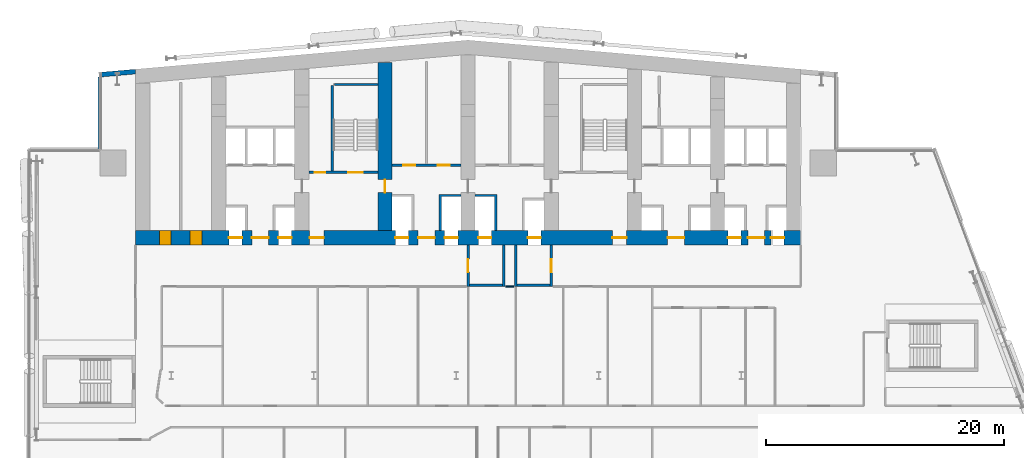
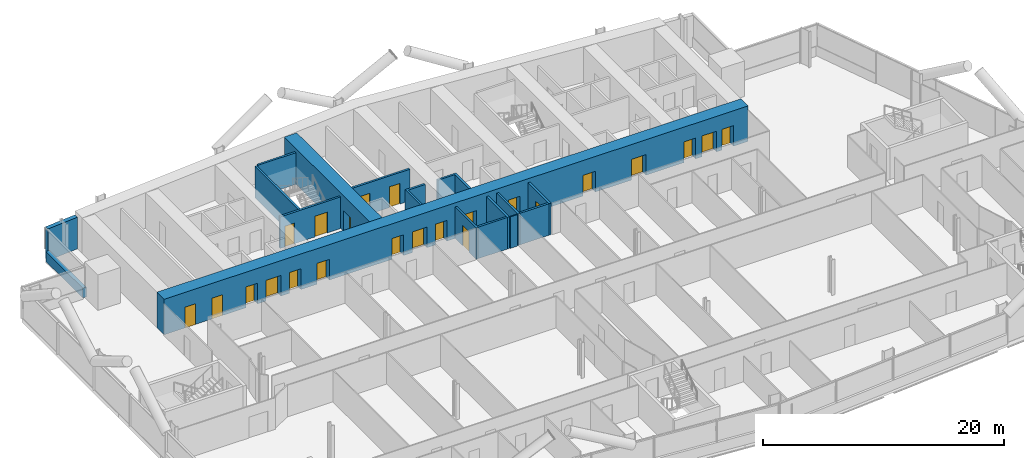
# One storey, part 17 of 28: 23 doors, 17 walls, 23 openings.
"""IFC4 building model written with IfcOpenShell, lengths in metres."""

import ifcopenshell
import ifcopenshell.guid

model = None  # the IFC model being written
_history = None  # IfcOwnerHistory: only IFC2X3 demands one
_inside = {}  # id of a spatial element -> (the spatial element, [elements in it])
_under = {}  # id of a project, library or spatial element -> (it, [spatial elements below it])
_declared = {}  # id of a project -> (the project, [libraries it declares])
_typed = {}  # id of a type object -> (the type object, [elements of that type])
_made_of = {}  # id of a material, layer set ... -> (it, [elements and type objects made of it])


def new_model(schema):
    """Start an empty IFC model of exactly this schema.

    Asked for "IFC4X3", IfcOpenShell would pick the latest addendum, in which some entities
    have other attributes; the version numbers below select the first issue.
    IFC2X3 requires an IfcOwnerHistory on every rooted entity: one is made here for all.
    """
    global model, _history
    if schema == "IFC4X3":
        model = ifcopenshell.file(schema_version=(4, 3, 0, 0))
    else:
        model = ifcopenshell.file(schema=schema)
    _inside.clear()
    _under.clear()
    _declared.clear()
    _typed.clear()
    _made_of.clear()
    _history = None
    if model.schema == "IFC2X3":
        org = make("IfcOrganization", Name="unknown")
        user = make(
            "IfcPersonAndOrganization",
            ThePerson=make("IfcPerson", FamilyName="unknown"),
            TheOrganization=org,
        )
        app = make(
            "IfcApplication",
            ApplicationDeveloper=org,
            Version="unknown",
            ApplicationFullName="unknown",
            ApplicationIdentifier="unknown",
        )
        _history = make(
            "IfcOwnerHistory",
            OwningUser=user,
            OwningApplication=app,
            ChangeAction="ADDED",
            CreationDate=0,
        )
    return model


def make(cls, **values):
    """One entity of the class cls with the attributes given. An attribute that is None is left unset."""
    return model.create_entity(
        cls, **{name: value for name, value in values.items() if value is not None}
    )


def rooted(cls, **values):
    """An entity with a GlobalId (a new one), such as an element, a storey or a relation."""
    return make(cls, GlobalId=ifcopenshell.guid.new(), OwnerHistory=_history, **values)


def si_unit(unit_type, name, prefix=None):
    """IfcSIUnit, for example si_unit("LENGTHUNIT", "METRE", prefix="MILLI")."""
    return make("IfcSIUnit", UnitType=unit_type, Prefix=prefix, Name=name)


def assignment(units):
    """IfcUnitAssignment: the units of a project."""
    return None if units is None else make("IfcUnitAssignment", Units=units)


def point(xyz):
    """IfcCartesianPoint."""
    return None if xyz is None else make("IfcCartesianPoint", Coordinates=xyz)


def direction(xyz):
    """IfcDirection."""
    return None if xyz is None else make("IfcDirection", DirectionRatios=xyz)


def frame(location, z_axis=None, x_axis=None):
    """IfcAxis2Placement3D, a coordinate frame: its origin and axes. An axis left out is left unset."""
    return make(
        "IfcAxis2Placement3D",
        Location=point(location),
        Axis=direction(z_axis),
        RefDirection=direction(x_axis),
    )


def frame_2d(location, x_axis=None):
    """IfcAxis2Placement2D, a coordinate frame in the plane: its origin and x axis."""
    return make(
        "IfcAxis2Placement2D", Location=point(location), RefDirection=direction(x_axis)
    )


def origin():
    """The frame at (0, 0, 0) with its axes left unset."""
    return frame((0.0, 0.0, 0.0))


def place(relative_to, where):
    """IfcLocalPlacement: puts the frame where relative to a parent placement (None: the world)."""
    return make(
        "IfcLocalPlacement", PlacementRelTo=relative_to, RelativePlacement=where
    )


def context(
    kind, dimensions, precision=None, world=None, true_north=None, identifier=None
):
    """IfcGeometricRepresentationContext, for example the 3D "Model" context."""
    return make(
        "IfcGeometricRepresentationContext",
        ContextIdentifier=identifier,
        ContextType=kind,
        CoordinateSpaceDimension=dimensions,
        Precision=precision,
        WorldCoordinateSystem=world,
        TrueNorth=true_north,
    )


def subcontext(parent, identifier, kind, view, scale=None):
    """IfcGeometricRepresentationSubContext, for example "Body" below "Model"."""
    return make(
        "IfcGeometricRepresentationSubContext",
        ContextIdentifier=identifier,
        ContextType=kind,
        ParentContext=parent,
        TargetScale=scale,
        TargetView=view,
    )


def project(units=None, contexts=None):
    """IfcProject with its units and contexts."""
    return rooted(
        "IfcProject",
        Name="project",
        RepresentationContexts=contexts,
        UnitsInContext=assignment(units),
    )


def spatial(cls, under=None, at=None, **own):
    """A site, building, storey or space (cls), placed at a placement, below another one or the project."""
    s = rooted(cls, ObjectPlacement=at, **own)
    if under is not None:
        _under.setdefault(under.id(), (under, []))[1].append(s)
    return s


def polyline(points):
    """IfcPolyline through the points."""
    return make("IfcPolyline", Points=[point(p) for p in points])


def profile(cls, at=None, kind="AREA", **sizes):
    """A parametric profile (cls). Its sizes go by their IFC names, for example OverallWidth=200.0."""
    return make(cls, ProfileType=kind, Position=at, **sizes)


def rectangle(**sizes):
    """IfcRectangleProfileDef."""
    return profile("IfcRectangleProfileDef", **sizes)


def outline(outer, holes=None, kind="AREA"):
    """IfcArbitraryClosedProfileDef: a profile drawn as a closed curve; with holes, ...WithVoids."""
    if holes is None:
        return make("IfcArbitraryClosedProfileDef", ProfileType=kind, OuterCurve=outer)
    return make(
        "IfcArbitraryProfileDefWithVoids",
        ProfileType=kind,
        OuterCurve=outer,
        InnerCurves=holes,
    )


def extrude(swept, where, along, depth):
    """IfcExtrudedAreaSolid: the profile swept, set in the frame where, extruded along a direction by depth."""
    return make(
        "IfcExtrudedAreaSolid",
        SweptArea=swept,
        Position=where,
        ExtrudedDirection=direction(along),
        Depth=depth,
    )


def shape(context_of_items, identifier, shape_type, items):
    """IfcShapeRepresentation: the items that make up one representation, for example the "Body"."""
    return make(
        "IfcShapeRepresentation",
        ContextOfItems=context_of_items,
        RepresentationIdentifier=identifier,
        RepresentationType=shape_type,
        Items=items,
    )


def material(Name=None, Category=None):
    """IfcMaterial."""
    return make("IfcMaterial", Name=Name, Category=Category)


def layer(
    of_material, thickness, ventilated=None, Name=None, Category=None, Priority=None
):
    """IfcMaterialLayer: one layer of a wall or slab, of a material (None: an air gap)."""
    return make(
        "IfcMaterialLayer",
        Material=of_material,
        LayerThickness=thickness,
        IsVentilated=ventilated,
        Name=Name,
        Category=Category,
        Priority=Priority,
    )


def layer_set(layers, Name=None):
    """IfcMaterialLayerSet."""
    return make("IfcMaterialLayerSet", MaterialLayers=layers, LayerSetName=Name)


def made_of(thing, what):
    """Note that an element or type object is made of a material, layer set ...; save() writes the relation."""
    if what is not None:
        _made_of.setdefault(what.id(), (what, []))[1].append(thing)
    return thing


def type_object(cls, material=None, **own):
    """A type object (cls), such as IfcWallType, which elements share."""
    return made_of(rooted(cls, **own), material)


def element(
    cls,
    number,
    at=None,
    inside=None,
    cuts=None,
    type_object=None,
    material=None,
    context=None,
    identifier="Body",
    shape_type=None,
    held_by="IfcProductDefinitionShape",
    body=None,
    shapes=None,
    **own,
):
    """One element of the class cls, such as IfcWall. Its Tag is "e" and its number.

    at: its placement. inside: the storey or other place that contains it. cuts: it is an
    opening in that element (IfcRelVoidsElement). A single representation is given by context,
    identifier, shape_type and body (its items); several are given by shapes. held_by: the class
    of the entity that holds the representations. save() writes the other relations.
    """
    e = rooted(cls, Tag="e%d" % number, ObjectPlacement=at, **own)
    if body is not None:
        shapes = [shape(context, identifier, shape_type, body)]
    if shapes is not None:
        e.Representation = make(held_by, Representations=shapes)
    if inside is not None:
        _inside.setdefault(inside.id(), (inside, []))[1].append(e)
    if cuts is not None:
        rooted(
            "IfcRelVoidsElement", RelatingBuildingElement=cuts, RelatedOpeningElement=e
        )
    if type_object is not None:
        _typed.setdefault(type_object.id(), (type_object, []))[1].append(e)
    return made_of(e, material)


def fill(opening, filler):
    """IfcRelFillsElement: the door or window that sits in an opening."""
    return rooted(
        "IfcRelFillsElement",
        RelatingOpeningElement=opening,
        RelatedBuildingElement=filler,
    )


def aggregate(whole, parts):
    """IfcRelAggregates: a whole, such as a stair, and the parts it consists of."""
    return rooted("IfcRelAggregates", RelatingObject=whole, RelatedObjects=parts)


def save(model, path):
    """Write the relations noted so far, then the file.

    IfcRelAggregates (storeys below a building ...), IfcRelContainedInSpatialStructure (elements
    in a storey), IfcRelDefinesByType, IfcRelAssociatesMaterial and IfcRelDeclares: one each for
    every whole, place, type object, material and project.
    """
    for whole, parts in _under.values():
        aggregate(whole, parts)
    for where, things in _inside.values():
        rooted(
            "IfcRelContainedInSpatialStructure",
            RelatedElements=things,
            RelatingStructure=where,
        )
    for kind, things in _typed.values():
        rooted("IfcRelDefinesByType", RelatedObjects=things, RelatingType=kind)
    for what, things in _made_of.values():
        rooted("IfcRelAssociatesMaterial", RelatedObjects=things, RelatingMaterial=what)
    for by, libraries in _declared.values():
        rooted("IfcRelDeclares", RelatingContext=by, RelatedDefinitions=libraries)
    model.write(path)


model = new_model("IFC4")

# Units and contexts
model_context = context("Model", 3, precision=1e-05, world=origin(), true_north=direction((0.0, 1.0)))
body_context = subcontext(model_context, "Body", "Model", "MODEL_VIEW")
ifc_project = project(units=[si_unit("LENGTHUNIT", "METRE"), si_unit("AREAUNIT", "SQUARE_METRE"), si_unit("VOLUMEUNIT", "CUBIC_METRE"), si_unit("PLANEANGLEUNIT", "RADIAN"), si_unit("MASSUNIT", "GRAM", prefix="KILO")], contexts=[model_context])

# Site, building, storey
site_placement = place(None, origin())
site = spatial("IfcSite", under=ifc_project, at=site_placement, CompositionType="ELEMENT")
building_placement = place(site_placement, origin())
building = spatial("IfcBuilding", under=site, at=building_placement, Name="Wharfspan Tower", CompositionType="ELEMENT")
storey_placement = place(building_placement, frame((0.0, 0.0, 59.5)))
storey = spatial("IfcBuildingStorey", under=building, at=storey_placement, Name="L11", CompositionType="ELEMENT", Elevation=59.5)

# Wall
ifc_material_1 = material(Name="Gypsum board on steel studs", Category="steel")
ifc_layer_1 = layer(ifc_material_1, 0.100098)
ifc_layer_set_1 = layer_set([ifc_layer_1], Name="Gypsum board on steel studs")
wall_type_1 = type_object("IfcWallType", Name="Compartment wall 100 EI 60", PredefinedType="PARTITIONING", material=ifc_layer_set_1)
wall_1_placement = place(storey_placement, frame((40.149902, 30.5, 0.0), z_axis=(0.0, 0.0, 1.0), x_axis=(1.0, 0.0, 0.0)))
element("IfcWall", 1, at=wall_1_placement, inside=storey, type_object=wall_type_1, Name="Partition L11.w015 (2)", PredefinedType="PARTITIONING", context=body_context, shape_type="SweptSolid", body=[
    extrude(rectangle(XDim=0.700195, YDim=0.100098, at=frame_2d((0.350098, 0.0))), origin(), (0.0, 0.0, 1.0), 3.199951),
])

# Wall, openings, doors
ifc_material_2 = material(Name="Concrete C70/85", Category="concrete")
ifc_layer_2 = layer(ifc_material_2, 1.199951)
ifc_layer_set_2 = layer_set([ifc_layer_2], Name="Concrete C70/85")
wall_type_2 = type_object("IfcWallType", Name="Core wall 1200 C70/85", PredefinedType="SHEAR", material=ifc_layer_set_2)
wall_2_placement = place(storey_placement, frame((9.0, 34.600098, 0.0), z_axis=(0.0, 0.0, 1.0), x_axis=(1.0, 0.0, 0.0)))
wall_2 = element("IfcWall", 2, at=wall_2_placement, inside=storey, type_object=wall_type_2, Name="Core front wall L11", PredefinedType="SHEAR", context=body_context, shape_type="SweptSolid", body=[
    extrude(rectangle(XDim=56.0, YDim=1.199951, at=frame_2d((28.0, 0.0))), origin(), (0.0, 0.0, 1.0), 3.600098),
])
opening_1_placement = place(wall_2_placement, frame((2.0, 0.0, 0.0)))
opening_1 = element("IfcOpeningElement", 3, at=opening_1_placement, cuts=wall_2, Name="Opening CD11.01", PredefinedType="OPENING", context=body_context, shape_type="SweptSolid", body=[
    extrude(rectangle(XDim=1.0, YDim=2.100098, at=frame_2d((0.5, 1.050049))), frame((0.0, 0.609863, 0.0), z_axis=(0.0, -1.0, 0.0), x_axis=(1.0, 0.0, 0.0)), (0.0, 0.0, 1.0), 1.219971),
])
opening_2_placement = place(wall_2_placement, frame((4.600098, 0.0, 0.0)))
opening_2 = element("IfcOpeningElement", 4, at=opening_2_placement, cuts=wall_2, Name="Opening CD11.02", PredefinedType="OPENING", context=body_context, shape_type="SweptSolid", body=[
    extrude(rectangle(XDim=1.0, YDim=2.100098, at=frame_2d((0.5, 1.050049))), frame((0.0, 0.609863, 0.0), z_axis=(0.0, -1.0, 0.0), x_axis=(1.0, 0.0, 0.0)), (0.0, 0.0, 1.0), 1.219971),
])
opening_3_placement = place(wall_2_placement, frame((7.866699, 0.0, 0.0)))
opening_3 = element("IfcOpeningElement", 5, at=opening_3_placement, cuts=wall_2, Name="Opening LD.LA1.L11", PredefinedType="OPENING", context=body_context, shape_type="SweptSolid", body=[
    extrude(rectangle(XDim=1.100098, YDim=2.100098, at=frame_2d((0.550049, 1.050049))), frame((0.0, 0.609863, 0.0), z_axis=(0.0, -1.0, 0.0), x_axis=(1.0, 0.0, 0.0)), (0.0, 0.0, 1.0), 1.219971),
])
opening_4_placement = place(wall_2_placement, frame((12.033203, 0.0, 0.0)))
opening_4 = element("IfcOpeningElement", 6, at=opening_4_placement, cuts=wall_2, Name="Opening LD.LA2.L11", PredefinedType="OPENING", context=body_context, shape_type="SweptSolid", body=[
    extrude(rectangle(XDim=1.100098, YDim=2.100098, at=frame_2d((0.550049, 1.050049))), frame((0.0, 0.609863, 0.0), z_axis=(0.0, -1.0, 0.0), x_axis=(1.0, 0.0, 0.0)), (0.0, 0.0, 1.0), 1.219971),
])
opening_5_placement = place(wall_2_placement, frame((9.800049, 0.0, 0.0)))
opening_5 = element("IfcOpeningElement", 7, at=opening_5_placement, cuts=wall_2, Name="Opening HD11.1", PredefinedType="OPENING", context=body_context, shape_type="SweptSolid", body=[
    extrude(rectangle(XDim=1.399902, YDim=2.100098, at=frame_2d((0.699951, 1.050049))), frame((0.0, 0.609863, 0.0), z_axis=(0.0, -1.0, 0.0), x_axis=(1.0, 0.0, 0.0)), (0.0, 0.0, 1.0), 1.219971),
])
opening_6_placement = place(wall_2_placement, frame((14.649902, 0.0, 0.0)))
opening_6 = element("IfcOpeningElement", 8, at=opening_6_placement, cuts=wall_2, Name="Opening SV2.L11", PredefinedType="OPENING", context=body_context, shape_type="SweptSolid", body=[
    extrude(rectangle(XDim=1.199951, YDim=2.100098, at=frame_2d((0.600098, 1.050049))), frame((0.0, 0.609863, 0.0), z_axis=(0.0, -1.0, 0.0), x_axis=(1.0, 0.0, 0.0)), (0.0, 0.0, 1.0), 1.219971),
])
opening_7_placement = place(wall_2_placement, frame((21.866699, 0.0, 0.0)))
opening_7 = element("IfcOpeningElement", 9, at=opening_7_placement, cuts=wall_2, Name="Opening LD.SL1.L11", PredefinedType="OPENING", context=body_context, shape_type="SweptSolid", body=[
    extrude(rectangle(XDim=1.100098, YDim=2.100098, at=frame_2d((0.550049, 1.050049))), frame((0.0, 0.609863, 0.0), z_axis=(0.0, -1.0, 0.0), x_axis=(1.0, 0.0, 0.0)), (0.0, 0.0, 1.0), 1.219971),
])
opening_8_placement = place(wall_2_placement, frame((26.033203, 0.0, 0.0)))
opening_8 = element("IfcOpeningElement", 10, at=opening_8_placement, cuts=wall_2, Name="Opening LD.SL2.L11", PredefinedType="OPENING", context=body_context, shape_type="SweptSolid", body=[
    extrude(rectangle(XDim=1.100098, YDim=2.100098, at=frame_2d((0.550049, 1.050049))), frame((0.0, 0.609863, 0.0), z_axis=(0.0, -1.0, 0.0), x_axis=(1.0, 0.0, 0.0)), (0.0, 0.0, 1.0), 1.219971),
])
opening_9_placement = place(wall_2_placement, frame((23.800049, 0.0, 0.0)))
opening_9 = element("IfcOpeningElement", 11, at=opening_9_placement, cuts=wall_2, Name="Opening HD11.3", PredefinedType="OPENING", context=body_context, shape_type="SweptSolid", body=[
    extrude(rectangle(XDim=1.399902, YDim=2.100098, at=frame_2d((0.699951, 1.050049))), frame((0.0, 0.609863, 0.0), z_axis=(0.0, -1.0, 0.0), x_axis=(1.0, 0.0, 0.0)), (0.0, 0.0, 1.0), 1.219971),
])
opening_10_placement = place(wall_2_placement, frame((28.866699, 0.0, 0.0)))
opening_10 = element("IfcOpeningElement", 12, at=opening_10_placement, cuts=wall_2, Name="Opening LD.FF1.L11", PredefinedType="OPENING", context=body_context, shape_type="SweptSolid", body=[
    extrude(rectangle(XDim=1.100098, YDim=2.100098, at=frame_2d((0.550049, 1.050049))), frame((0.0, 0.609863, 0.0), z_axis=(0.0, -1.0, 0.0), x_axis=(1.0, 0.0, 0.0)), (0.0, 0.0, 1.0), 1.219971),
])
opening_11_placement = place(wall_2_placement, frame((33.033203, 0.0, 0.0)))
opening_11 = element("IfcOpeningElement", 13, at=opening_11_placement, cuts=wall_2, Name="Opening LD.FF2.L11", PredefinedType="OPENING", context=body_context, shape_type="SweptSolid", body=[
    extrude(rectangle(XDim=1.100098, YDim=2.100098, at=frame_2d((0.550049, 1.050049))), frame((0.0, 0.609863, 0.0), z_axis=(0.0, -1.0, 0.0), x_axis=(1.0, 0.0, 0.0)), (0.0, 0.0, 1.0), 1.219971),
])
opening_12_placement = place(wall_2_placement, frame((40.149902, 0.0, 0.0)))
opening_12 = element("IfcOpeningElement", 14, at=opening_12_placement, cuts=wall_2, Name="Opening SV5.L11", PredefinedType="OPENING", context=body_context, shape_type="SweptSolid", body=[
    extrude(rectangle(XDim=1.199951, YDim=2.100098, at=frame_2d((0.600098, 1.050049))), frame((0.0, 0.609863, 0.0), z_axis=(0.0, -1.0, 0.0), x_axis=(1.0, 0.0, 0.0)), (0.0, 0.0, 1.0), 1.219971),
])
opening_13_placement = place(wall_2_placement, frame((44.800049, 0.0, 0.0)))
opening_13 = element("IfcOpeningElement", 15, at=opening_13_placement, cuts=wall_2, Name="Opening HD11.6", PredefinedType="OPENING", context=body_context, shape_type="SweptSolid", body=[
    extrude(rectangle(XDim=1.399902, YDim=2.100098, at=frame_2d((0.699951, 1.050049))), frame((0.0, 0.609863, 0.0), z_axis=(0.0, -1.0, 0.0), x_axis=(1.0, 0.0, 0.0)), (0.0, 0.0, 1.0), 1.219971),
])
opening_14_placement = place(wall_2_placement, frame((49.866699, 0.0, 0.0)))
opening_14 = element("IfcOpeningElement", 16, at=opening_14_placement, cuts=wall_2, Name="Opening LD.LA6.L11", PredefinedType="OPENING", context=body_context, shape_type="SweptSolid", body=[
    extrude(rectangle(XDim=1.100098, YDim=2.100098, at=frame_2d((0.550049, 1.050049))), frame((0.0, 0.609863, 0.0), z_axis=(0.0, -1.0, 0.0), x_axis=(1.0, 0.0, 0.0)), (0.0, 0.0, 1.0), 1.219971),
])
opening_15_placement = place(wall_2_placement, frame((53.5, 0.0, 0.0)))
opening_15 = element("IfcOpeningElement", 17, at=opening_15_placement, cuts=wall_2, Name="Opening LD.LA7.L11", PredefinedType="OPENING", context=body_context, shape_type="SweptSolid", body=[
    extrude(rectangle(XDim=1.100098, YDim=2.100098, at=frame_2d((0.550049, 1.050049))), frame((0.0, 0.609863, 0.0), z_axis=(0.0, -1.0, 0.0), x_axis=(1.0, 0.0, 0.0)), (0.0, 0.0, 1.0), 1.219971),
])
opening_16_placement = place(wall_2_placement, frame((51.56665, 0.0, 0.0)))
opening_16 = element("IfcOpeningElement", 18, at=opening_16_placement, cuts=wall_2, Name="Opening HD11.7", PredefinedType="OPENING", context=body_context, shape_type="SweptSolid", body=[
    extrude(rectangle(XDim=1.399902, YDim=2.100098, at=frame_2d((0.699951, 1.050049))), frame((0.0, 0.609863, 0.0), z_axis=(0.0, -1.0, 0.0), x_axis=(1.0, 0.0, 0.0)), (0.0, 0.0, 1.0), 1.219971),
])
ifc_material_3 = material(Name="Steel door leaf", Category="steel")
door_type_1 = type_object("IfcDoorType", Name="Core room door 1000x2100", OperationType="SINGLE_SWING_LEFT", PredefinedType="DOOR", material=ifc_material_3)
door_1_placement = place(opening_1_placement, origin())
door_1 = element("IfcDoor", 19, at=door_1_placement, inside=storey, type_object=door_type_1, Name="d:L11:0:rf", OperationType="SINGLE_SWING_LEFT", OverallHeight=2.100098, OverallWidth=1.0, PredefinedType="DOOR", context=body_context, shape_type="SweptSolid", body=[
    extrude(rectangle(XDim=1.0, YDim=2.100098, at=frame_2d((0.5, 1.050049))), frame((0.0, 0.599609, 0.0), z_axis=(0.0, -1.0, 0.0), x_axis=(1.0, 0.0, 0.0)), (0.0, 0.0, 1.0), 1.199463),
])
fill(opening_1, door_1)
door_2_placement = place(opening_2_placement, origin())
door_2 = element("IfcDoor", 20, at=door_2_placement, inside=storey, type_object=door_type_1, Name="d:L11:0:rr", OperationType="SINGLE_SWING_RIGHT", OverallHeight=2.100098, OverallWidth=1.0, PredefinedType="DOOR", context=body_context, shape_type="SweptSolid", body=[
    extrude(rectangle(XDim=1.0, YDim=2.100098, at=frame_2d((0.5, 1.050049))), frame((0.0, 0.599609, 0.0), z_axis=(0.0, -1.0, 0.0), x_axis=(1.0, 0.0, 0.0)), (0.0, 0.0, 1.0), 1.199463),
])
fill(opening_2, door_2)
door_type_2 = type_object("IfcDoorType", Name="Hall entry door 1400x2100", OperationType="DOUBLE_DOOR_SINGLE_SWING", PredefinedType="DOOR", material=ifc_material_3)
door_3_placement = place(opening_5_placement, origin())
door_3 = element("IfcDoor", 21, at=door_3_placement, inside=storey, type_object=door_type_2, Name="d:L11:1:hd1", OperationType="DOUBLE_DOOR_SINGLE_SWING", OverallHeight=2.100098, OverallWidth=1.399902, PredefinedType="DOOR", context=body_context, shape_type="SweptSolid", body=[
    extrude(rectangle(XDim=1.399902, YDim=2.100098, at=frame_2d((0.699951, 1.050049))), frame((0.0, 0.024902, 0.0), z_axis=(0.0, -1.0, 0.0), x_axis=(1.0, 0.0, 0.0)), (0.0, 0.0, 1.0), 0.050049),
])
fill(opening_5, door_3)
door_4_placement = place(opening_9_placement, origin())
door_4 = element("IfcDoor", 22, at=door_4_placement, inside=storey, type_object=door_type_2, Name="d:L11:3:hd3", OperationType="DOUBLE_DOOR_SINGLE_SWING", OverallHeight=2.100098, OverallWidth=1.399902, PredefinedType="DOOR", context=body_context, shape_type="SweptSolid", body=[
    extrude(rectangle(XDim=1.399902, YDim=2.100098, at=frame_2d((0.699951, 1.050049))), frame((0.0, 0.024902, 0.0), z_axis=(0.0, -1.0, 0.0), x_axis=(1.0, 0.0, 0.0)), (0.0, 0.0, 1.0), 0.050049),
])
fill(opening_9, door_4)
door_5_placement = place(opening_13_placement, origin())
door_5 = element("IfcDoor", 23, at=door_5_placement, inside=storey, type_object=door_type_2, Name="d:L11:6:hd6", OperationType="DOUBLE_DOOR_SINGLE_SWING", OverallHeight=2.100098, OverallWidth=1.399902, PredefinedType="DOOR", context=body_context, shape_type="SweptSolid", body=[
    extrude(rectangle(XDim=1.399902, YDim=2.100098, at=frame_2d((0.699951, 1.050049))), frame((0.0, 0.024902, 0.0), z_axis=(0.0, -1.0, 0.0), x_axis=(1.0, 0.0, 0.0)), (0.0, 0.0, 1.0), 0.050049),
])
fill(opening_13, door_5)
door_6_placement = place(opening_16_placement, origin())
door_6 = element("IfcDoor", 24, at=door_6_placement, inside=storey, type_object=door_type_2, Name="d:L11:7:hd7", OperationType="DOUBLE_DOOR_SINGLE_SWING", OverallHeight=2.100098, OverallWidth=1.399902, PredefinedType="DOOR", context=body_context, shape_type="SweptSolid", body=[
    extrude(rectangle(XDim=1.399902, YDim=2.100098, at=frame_2d((0.699951, 1.050049))), frame((0.0, 0.024902, 0.0), z_axis=(0.0, -1.0, 0.0), x_axis=(1.0, 0.0, 0.0)), (0.0, 0.0, 1.0), 0.050049),
])
fill(opening_16, door_6)
ifc_material_4 = material(Name="Stainless steel", Category="steel")
door_type_3 = type_object("IfcDoorType", Name="Lift landing door 1100x2100", OperationType="DOUBLE_DOOR_SLIDING", PredefinedType="DOOR", material=ifc_material_4)
door_7_placement = place(opening_3_placement, origin())
door_7 = element("IfcDoor", 25, at=door_7_placement, inside=storey, type_object=door_type_3, Name="Landing door LA1 L11", OperationType="DOUBLE_DOOR_SLIDING", OverallHeight=2.100098, OverallWidth=1.100098, PredefinedType="DOOR", context=body_context, shape_type="SweptSolid", body=[
    extrude(rectangle(XDim=1.100098, YDim=2.100098, at=frame_2d((0.550049, 1.050049))), frame((0.0, 0.024902, 0.0), z_axis=(0.0, -1.0, 0.0), x_axis=(1.0, 0.0, 0.0)), (0.0, 0.0, 1.0), 0.050049),
])
fill(opening_3, door_7)
door_8_placement = place(opening_4_placement, origin())
door_8 = element("IfcDoor", 26, at=door_8_placement, inside=storey, type_object=door_type_3, Name="Landing door LA2 L11", OperationType="DOUBLE_DOOR_SLIDING", OverallHeight=2.100098, OverallWidth=1.100098, PredefinedType="DOOR", context=body_context, shape_type="SweptSolid", body=[
    extrude(rectangle(XDim=1.100098, YDim=2.100098, at=frame_2d((0.550049, 1.050049))), frame((0.0, 0.024902, 0.0), z_axis=(0.0, -1.0, 0.0), x_axis=(1.0, 0.0, 0.0)), (0.0, 0.0, 1.0), 0.050049),
])
fill(opening_4, door_8)
door_9_placement = place(opening_7_placement, origin())
door_9 = element("IfcDoor", 27, at=door_9_placement, inside=storey, type_object=door_type_3, Name="Landing door SL1 L11", OperationType="DOUBLE_DOOR_SLIDING", OverallHeight=2.100098, OverallWidth=1.100098, PredefinedType="DOOR", context=body_context, shape_type="SweptSolid", body=[
    extrude(rectangle(XDim=1.100098, YDim=2.100098, at=frame_2d((0.550049, 1.050049))), frame((0.0, 0.024902, 0.0), z_axis=(0.0, -1.0, 0.0), x_axis=(1.0, 0.0, 0.0)), (0.0, 0.0, 1.0), 0.050049),
])
fill(opening_7, door_9)
door_10_placement = place(opening_8_placement, origin())
door_10 = element("IfcDoor", 28, at=door_10_placement, inside=storey, type_object=door_type_3, Name="Landing door SL2 L11", OperationType="DOUBLE_DOOR_SLIDING", OverallHeight=2.100098, OverallWidth=1.100098, PredefinedType="DOOR", context=body_context, shape_type="SweptSolid", body=[
    extrude(rectangle(XDim=1.100098, YDim=2.100098, at=frame_2d((0.550049, 1.050049))), frame((0.0, 0.024902, 0.0), z_axis=(0.0, -1.0, 0.0), x_axis=(1.0, 0.0, 0.0)), (0.0, 0.0, 1.0), 0.050049),
])
fill(opening_8, door_10)
door_11_placement = place(opening_10_placement, origin())
door_11 = element("IfcDoor", 29, at=door_11_placement, inside=storey, type_object=door_type_3, Name="Landing door FF1 L11", OperationType="DOUBLE_DOOR_SLIDING", OverallHeight=2.100098, OverallWidth=1.100098, PredefinedType="DOOR", context=body_context, shape_type="SweptSolid", body=[
    extrude(rectangle(XDim=1.100098, YDim=2.100098, at=frame_2d((0.550049, 1.050049))), frame((0.0, 0.024902, 0.0), z_axis=(0.0, -1.0, 0.0), x_axis=(1.0, 0.0, 0.0)), (0.0, 0.0, 1.0), 0.050049),
])
fill(opening_10, door_11)
door_12_placement = place(opening_11_placement, origin())
door_12 = element("IfcDoor", 30, at=door_12_placement, inside=storey, type_object=door_type_3, Name="Landing door FF2 L11", OperationType="DOUBLE_DOOR_SLIDING", OverallHeight=2.100098, OverallWidth=1.100098, PredefinedType="DOOR", context=body_context, shape_type="SweptSolid", body=[
    extrude(rectangle(XDim=1.100098, YDim=2.100098, at=frame_2d((0.550049, 1.050049))), frame((0.0, 0.024902, 0.0), z_axis=(0.0, -1.0, 0.0), x_axis=(1.0, 0.0, 0.0)), (0.0, 0.0, 1.0), 0.050049),
])
fill(opening_11, door_12)
door_13_placement = place(opening_14_placement, origin())
door_13 = element("IfcDoor", 31, at=door_13_placement, inside=storey, type_object=door_type_3, Name="Landing door LA6 L11", OperationType="DOUBLE_DOOR_SLIDING", OverallHeight=2.100098, OverallWidth=1.100098, PredefinedType="DOOR", context=body_context, shape_type="SweptSolid", body=[
    extrude(rectangle(XDim=1.100098, YDim=2.100098, at=frame_2d((0.550049, 1.050049))), frame((0.0, 0.024902, 0.0), z_axis=(0.0, -1.0, 0.0), x_axis=(1.0, 0.0, 0.0)), (0.0, 0.0, 1.0), 0.050049),
])
fill(opening_14, door_13)
door_14_placement = place(opening_15_placement, origin())
door_14 = element("IfcDoor", 32, at=door_14_placement, inside=storey, type_object=door_type_3, Name="Landing door LA7 L11", OperationType="DOUBLE_DOOR_SLIDING", OverallHeight=2.100098, OverallWidth=1.100098, PredefinedType="DOOR", context=body_context, shape_type="SweptSolid", body=[
    extrude(rectangle(XDim=1.100098, YDim=2.100098, at=frame_2d((0.550049, 1.050049))), frame((0.0, 0.024902, 0.0), z_axis=(0.0, -1.0, 0.0), x_axis=(1.0, 0.0, 0.0)), (0.0, 0.0, 1.0), 0.050049),
])
fill(opening_15, door_14)
door_type_4 = type_object("IfcDoorType", Name="Stair door 1200x2100", OperationType="SINGLE_SWING_LEFT", PredefinedType="DOOR", material=ifc_material_3)
door_15_placement = place(opening_6_placement, origin())
door_15 = element("IfcDoor", 33, at=door_15_placement, inside=storey, type_object=door_type_4, Name="vd:L11:2", OperationType="SINGLE_SWING_LEFT", OverallHeight=2.100098, OverallWidth=1.199951, PredefinedType="DOOR", context=body_context, shape_type="SweptSolid", body=[
    extrude(rectangle(XDim=1.199951, YDim=2.100098, at=frame_2d((0.600098, 1.050049))), frame((0.0, 0.024902, 0.0), z_axis=(0.0, -1.0, 0.0), x_axis=(1.0, 0.0, 0.0)), (0.0, 0.0, 1.0), 0.050049),
])
fill(opening_6, door_15)
door_16_placement = place(opening_12_placement, origin())
door_16 = element("IfcDoor", 34, at=door_16_placement, inside=storey, type_object=door_type_4, Name="vd:L11:5", OperationType="SINGLE_SWING_LEFT", OverallHeight=2.100098, OverallWidth=1.199951, PredefinedType="DOOR", context=body_context, shape_type="SweptSolid", body=[
    extrude(rectangle(XDim=1.199951, YDim=2.100098, at=frame_2d((0.600098, 1.050049))), frame((0.0, 0.024902, 0.0), z_axis=(0.0, -1.0, 0.0), x_axis=(1.0, 0.0, 0.0)), (0.0, 0.0, 1.0), 0.050049),
])
fill(opening_12, door_16)

# Wall, opening, door
wall_3_placement = place(storey_placement, frame((30.0, 35.199951, 0.0), z_axis=(0.0, 0.0, 1.0), x_axis=(0.0, 1.0, 0.0)))
wall_3 = element("IfcWall", 35, at=wall_3_placement, inside=storey, type_object=wall_type_2, Name="Core cross wall X3 L11", PredefinedType="SHEAR", context=body_context, shape_type="SweptSolid", body=[
    extrude(rectangle(XDim=14.167725, YDim=1.199951, at=frame_2d((7.083984, 0.0))), origin(), (0.0, 0.0, 1.0), 3.600098),
])
opening_17_placement = place(wall_3_placement, frame((3.199951, 0.0, 0.0)))
opening_17 = element("IfcOpeningElement", 36, at=opening_17_placement, cuts=wall_3, Name="Opening CC11.3", PredefinedType="OPENING", context=body_context, shape_type="SweptSolid", body=[
    extrude(rectangle(XDim=1.100098, YDim=2.100098, at=frame_2d((0.550049, 1.050049))), frame((0.0, 0.609863, 0.0), z_axis=(0.0, -1.0, 0.0), x_axis=(1.0, 0.0, 0.0)), (0.0, 0.0, 1.0), 1.219971),
])
door_type_5 = type_object("IfcDoorType", Name="Core corridor door 1100x2100", OperationType="SINGLE_SWING_LEFT", PredefinedType="DOOR", material=ifc_material_3)
door_17_placement = place(opening_17_placement, origin())
door_17 = element("IfcDoor", 37, at=door_17_placement, inside=storey, type_object=door_type_5, Name="xd:L11:3", OperationType="SINGLE_SWING_LEFT", OverallHeight=2.100098, OverallWidth=1.100098, PredefinedType="DOOR", context=body_context, shape_type="SweptSolid", body=[
    extrude(rectangle(XDim=1.100098, YDim=2.100098, at=frame_2d((0.550049, 1.050049))), frame((0.0, 0.024902, 0.0), z_axis=(0.0, -1.0, 0.0), x_axis=(1.0, 0.0, 0.0)), (0.0, 0.0, 1.0), 0.050049),
])
fill(opening_17, door_17)

# Wall, openings, doors
ifc_material_5 = material(Name="Concrete C30/37", Category="concrete")
ifc_layer_3 = layer(ifc_material_5, 0.199951)
ifc_layer_set_3 = layer_set([ifc_layer_3], Name="Concrete C30/37")
wall_type_3 = type_object("IfcWallType", Name="Lift shaft wall 200", PredefinedType="PARTITIONING", material=ifc_layer_set_3)
wall_4_placement = place(storey_placement, frame((30.600098, 40.699951, 0.0), z_axis=(0.0, 0.0, 1.0), x_axis=(1.0, 0.0, 0.0)))
wall_4 = element("IfcWall", 38, at=wall_4_placement, inside=storey, type_object=wall_type_3, Name="sw:L11:RF3", PredefinedType="PARTITIONING", context=body_context, shape_type="SweptSolid", body=[
    extrude(rectangle(XDim=5.799805, YDim=0.199951, at=frame_2d((2.899902, 0.0))), origin(), (0.0, 0.0, 1.0), 3.199951),
])
opening_18_placement = place(wall_4_placement, frame((0.949951, 0.0, 0.0)))
opening_18 = element("IfcOpeningElement", 39, at=opening_18_placement, cuts=wall_4, Name="Opening CD11.3S", PredefinedType="OPENING", context=body_context, shape_type="SweptSolid", body=[
    extrude(rectangle(XDim=1.0, YDim=2.100098, at=frame_2d((0.5, 1.050049))), frame((0.0, 0.109863, 0.0), z_axis=(0.0, -1.0, 0.0), x_axis=(1.0, 0.0, 0.0)), (0.0, 0.0, 1.0), 0.219971),
])
opening_19_placement = place(wall_4_placement, frame((3.850098, 0.0, 0.0)))
opening_19 = element("IfcOpeningElement", 40, at=opening_19_placement, cuts=wall_4, Name="Opening CD11.3Sa", PredefinedType="OPENING", context=body_context, shape_type="SweptSolid", body=[
    extrude(rectangle(XDim=1.0, YDim=2.100098, at=frame_2d((0.5, 1.050049))), frame((0.0, 0.109863, 0.0), z_axis=(0.0, -1.0, 0.0), x_axis=(1.0, 0.0, 0.0)), (0.0, 0.0, 1.0), 0.219971),
])
door_18_placement = place(opening_18_placement, origin())
door_18 = element("IfcDoor", 41, at=door_18_placement, inside=storey, type_object=door_type_1, Name="d:L11:3:sf", OperationType="SINGLE_SWING_LEFT", OverallHeight=2.100098, OverallWidth=1.0, PredefinedType="DOOR", context=body_context, shape_type="SweptSolid", body=[
    extrude(rectangle(XDim=1.0, YDim=2.100098, at=frame_2d((0.5, 1.050049))), frame((0.0, 0.024902, 0.0), z_axis=(0.0, -1.0, 0.0), x_axis=(1.0, 0.0, 0.0)), (0.0, 0.0, 1.0), 0.050049),
])
fill(opening_18, door_18)
door_19_placement = place(opening_19_placement, origin())
door_19 = element("IfcDoor", 42, at=door_19_placement, inside=storey, type_object=door_type_1, Name="d:L11:3:sf1", OperationType="SINGLE_SWING_LEFT", OverallHeight=2.100098, OverallWidth=1.0, PredefinedType="DOOR", context=body_context, shape_type="SweptSolid", body=[
    extrude(rectangle(XDim=1.0, YDim=2.100098, at=frame_2d((0.5, 1.050049))), frame((0.0, 0.024902, 0.0), z_axis=(0.0, -1.0, 0.0), x_axis=(1.0, 0.0, 0.0)), (0.0, 0.0, 1.0), 0.050049),
])
fill(opening_19, door_19)

# Walls
wall_5_placement = place(storey_placement, frame((0.0, 0.0, -0.000244)))
element("IfcWall", 43, at=wall_5_placement, inside=storey, type_object=wall_type_3, Name="sw:L11:FM3.1", PredefinedType="PARTITIONING", context=body_context, shape_type="SweptSolid", body=[
    extrude(outline(polyline([(34.56665, 38.25), (34.766602, 38.25), (36.399902, 38.25), (36.399902, 38.050049), (34.766602, 38.050049), (34.766602, 35.199951), (34.56665, 35.199951), (34.56665, 38.25)])), origin(), (0.0, 0.0, 1.0), 3.200195),
])
wall_6_placement = place(storey_placement, frame((0.0, 0.0, -0.000244)))
element("IfcWall", 44, at=wall_6_placement, inside=storey, type_object=wall_type_3, Name="sw:L11:FM4.1", PredefinedType="PARTITIONING", context=body_context, shape_type="SweptSolid", body=[
    extrude(outline(polyline([(39.233398, 38.050049), (37.600098, 38.050049), (37.600098, 38.25), (39.233398, 38.25), (39.43335, 38.25), (39.43335, 35.199951), (39.233398, 35.199951), (39.233398, 38.050049)])), origin(), (0.0, 0.0, 1.0), 3.200195),
])

# Wall, opening, door
ifc_layer_4 = layer(ifc_material_5, 0.199951)
ifc_layer_set_4 = layer_set([ifc_layer_4], Name="Concrete C30/37")
wall_type_4 = type_object("IfcWallType", Name="Lobby wall 200", PredefinedType="PARTITIONING", material=ifc_layer_set_4)
wall_7_placement = place(storey_placement, frame((37.0, 30.5, 0.0), z_axis=(0.0, 0.0, 1.0), x_axis=(0.0, 1.0, 0.0)))
wall_7 = element("IfcWall", 45, at=wall_7_placement, inside=storey, type_object=wall_type_4, Name="sw:L11:FLFF1W", PredefinedType="PARTITIONING", context=body_context, shape_type="SweptSolid", body=[
    extrude(rectangle(XDim=3.5, YDim=0.199951, at=frame_2d((1.75, 0.0))), origin(), (0.0, 0.0, 1.0), 3.199951),
])
opening_20_placement = place(wall_7_placement, frame((1.199951, 0.0, 0.0)))
opening_20 = element("IfcOpeningElement", 46, at=opening_20_placement, cuts=wall_7, Name="Opening FL.FF1.L11", PredefinedType="OPENING", context=body_context, shape_type="SweptSolid", body=[
    extrude(rectangle(XDim=1.100098, YDim=2.100098, at=frame_2d((0.550049, 1.050049))), frame((0.0, 0.109863, 0.0), z_axis=(0.0, -1.0, 0.0), x_axis=(1.0, 0.0, 0.0)), (0.0, 0.0, 1.0), 0.219971),
])
door_type_6 = type_object("IfcDoorType", Name="Firefighting lobby door 1100x2100", OperationType="SINGLE_SWING_LEFT", PredefinedType="DOOR", material=ifc_material_3)
door_20_placement = place(opening_20_placement, origin())
door_20 = element("IfcDoor", 47, at=door_20_placement, inside=storey, type_object=door_type_6, Name="fd:L11:FF1", OperationType="SINGLE_SWING_LEFT", OverallHeight=2.100098, OverallWidth=1.100098, PredefinedType="DOOR", context=body_context, shape_type="SweptSolid", body=[
    extrude(rectangle(XDim=1.100098, YDim=2.100098, at=frame_2d((0.550049, 1.050049))), frame((0.0, 0.024902, 0.0), z_axis=(0.0, -1.0, 0.0), x_axis=(1.0, 0.0, 0.0)), (0.0, 0.0, 1.0), 0.050049),
])
fill(opening_20, door_20)

# Walls
wall_8_placement = place(storey_placement, frame((40.0, 30.5, 0.0), z_axis=(0.0, 0.0, 1.0), x_axis=(0.0, 1.0, 0.0)))
element("IfcWall", 48, at=wall_8_placement, inside=storey, type_object=wall_type_4, Name="sw:L11:FLFF1E", PredefinedType="PARTITIONING", context=body_context, shape_type="SweptSolid", body=[
    extrude(rectangle(XDim=3.5, YDim=0.199951, at=frame_2d((1.75, 0.0))), origin(), (0.0, 0.0, 1.0), 3.199951),
])
wall_9_placement = place(storey_placement, frame((37.100098, 30.600098, 0.0), z_axis=(0.0, 0.0, 1.0), x_axis=(1.0, 0.0, 0.0)))
element("IfcWall", 49, at=wall_9_placement, inside=storey, type_object=wall_type_4, Name="sw:L11:FLFF1F", PredefinedType="PARTITIONING", context=body_context, shape_type="SweptSolid", body=[
    extrude(rectangle(XDim=2.799805, YDim=0.199951, at=frame_2d((1.399902, 0.0))), origin(), (0.0, 0.0, 1.0), 3.199951),
])
wall_10_placement = place(storey_placement, frame((41.0, 30.5, 0.0), z_axis=(0.0, 0.0, 1.0), x_axis=(0.0, 1.0, 0.0)))
element("IfcWall", 50, at=wall_10_placement, inside=storey, type_object=wall_type_4, Name="sw:L11:FLFF2W", PredefinedType="PARTITIONING", context=body_context, shape_type="SweptSolid", body=[
    extrude(rectangle(XDim=3.5, YDim=0.199951, at=frame_2d((1.75, 0.0))), origin(), (0.0, 0.0, 1.0), 3.199951),
])

# Wall, opening, door
wall_11_placement = place(storey_placement, frame((44.0, 30.5, 0.0), z_axis=(0.0, 0.0, 1.0), x_axis=(0.0, 1.0, 0.0)))
wall_11 = element("IfcWall", 51, at=wall_11_placement, inside=storey, type_object=wall_type_4, Name="sw:L11:FLFF2E", PredefinedType="PARTITIONING", context=body_context, shape_type="SweptSolid", body=[
    extrude(rectangle(XDim=3.5, YDim=0.199951, at=frame_2d((1.75, 0.0))), origin(), (0.0, 0.0, 1.0), 3.199951),
])
opening_21_placement = place(wall_11_placement, frame((1.199951, 0.0, 0.0)))
opening_21 = element("IfcOpeningElement", 52, at=opening_21_placement, cuts=wall_11, Name="Opening FL.FF2.L11", PredefinedType="OPENING", context=body_context, shape_type="SweptSolid", body=[
    extrude(rectangle(XDim=1.100098, YDim=2.100098, at=frame_2d((0.550049, 1.050049))), frame((0.0, 0.109863, 0.0), z_axis=(0.0, -1.0, 0.0), x_axis=(1.0, 0.0, 0.0)), (0.0, 0.0, 1.0), 0.219971),
])
door_21_placement = place(opening_21_placement, origin())
door_21 = element("IfcDoor", 53, at=door_21_placement, inside=storey, type_object=door_type_6, Name="fd:L11:FF2", OperationType="SINGLE_SWING_LEFT", OverallHeight=2.100098, OverallWidth=1.100098, PredefinedType="DOOR", context=body_context, shape_type="SweptSolid", body=[
    extrude(rectangle(XDim=1.100098, YDim=2.100098, at=frame_2d((0.550049, 1.050049))), frame((0.0, 0.024902, 0.0), z_axis=(0.0, -1.0, 0.0), x_axis=(1.0, 0.0, 0.0)), (0.0, 0.0, 1.0), 0.050049),
])
fill(opening_21, door_21)

# Walls
wall_12_placement = place(storey_placement, frame((41.100098, 30.600098, 0.0), z_axis=(0.0, 0.0, 1.0), x_axis=(1.0, 0.0, 0.0)))
element("IfcWall", 54, at=wall_12_placement, inside=storey, type_object=wall_type_4, Name="sw:L11:FLFF2F", PredefinedType="PARTITIONING", context=body_context, shape_type="SweptSolid", body=[
    extrude(rectangle(XDim=2.799805, YDim=0.199951, at=frame_2d((1.399902, 0.0))), origin(), (0.0, 0.0, 1.0), 3.199951),
])
ifc_material_6 = material(Name="Concrete C40/50", Category="concrete")
ifc_layer_5 = layer(ifc_material_6, 0.350098)
ifc_layer_set_5 = layer_set([ifc_layer_5], Name="Concrete C40/50")
wall_type_5 = type_object("IfcWallType", Name="SPANDREL EXPOSED CONCRETE 350", PredefinedType="SOLIDWALL", material=ifc_layer_set_5)
wall_13_placement = place(storey_placement, frame((5.995117, 48.126465, 0.0), z_axis=(0.0, 0.0, 1.0), x_axis=(0.0, -1.0, 0.0)))
element("IfcWall", 55, at=wall_13_placement, inside=storey, type_object=wall_type_5, Name="Spandrel upstand L11 NRW-V", PredefinedType="SOLIDWALL", context=body_context, shape_type="SweptSolid", body=[
    extrude(rectangle(XDim=6.126465, YDim=0.350098, at=frame_2d((3.063232, 0.0))), origin(), (0.0, 0.0, 1.0), 1.0),
])

# Wall, openings, doors
ifc_layer_6 = layer(ifc_material_6, 0.199951)
ifc_layer_set_6 = layer_set([ifc_layer_6], Name="Concrete C40/50")
wall_type_6 = type_object("IfcWallType", Name="Stair shaft wall 200", PredefinedType="SHEAR", material=ifc_layer_set_6)
wall_14_placement = place(storey_placement, frame((23.600098, 40.100098, 0.0), z_axis=(0.0, 0.0, 1.0), x_axis=(1.0, 0.0, 0.0)))
wall_14 = element("IfcWall", 56, at=wall_14_placement, inside=storey, type_object=wall_type_6, Name="ST1 stair enclosure wall L11", PredefinedType="SHEAR", context=body_context, shape_type="SweptSolid", body=[
    extrude(rectangle(XDim=5.799805, YDim=0.199951, at=frame_2d((2.899902, 0.0))), origin(), (0.0, 0.0, 1.0), 3.199951),
])
opening_22_placement = place(wall_14_placement, frame((3.324951, 0.0, 0.0)))
opening_22 = element("IfcOpeningElement", 57, at=opening_22_placement, cuts=wall_14, Name="Opening SD2.L11", PredefinedType="OPENING", context=body_context, shape_type="SweptSolid", body=[
    extrude(rectangle(XDim=1.199951, YDim=2.100098, at=frame_2d((0.600098, 1.050049))), frame((0.0, 0.109863, 0.0), z_axis=(0.0, -1.0, 0.0), x_axis=(1.0, 0.0, 0.0)), (0.0, 0.0, 1.0), 0.219971),
])
opening_23_placement = place(wall_14_placement, frame((0.475098, 0.0, 0.0)))
opening_23 = element("IfcOpeningElement", 58, at=opening_23_placement, cuts=wall_14, Name="Opening CD11.2R", PredefinedType="OPENING", context=body_context, shape_type="SweptSolid", body=[
    extrude(rectangle(XDim=0.899902, YDim=2.100098, at=frame_2d((0.449951, 1.050049))), frame((0.0, 0.109863, 0.0), z_axis=(0.0, -1.0, 0.0), x_axis=(1.0, 0.0, 0.0)), (0.0, 0.0, 1.0), 0.219971),
])
door_22_placement = place(opening_23_placement, origin())
door_22 = element("IfcDoor", 59, at=door_22_placement, inside=storey, type_object=door_type_1, Name="rk:L11:2", OperationType="SINGLE_SWING_LEFT", OverallHeight=2.100098, OverallWidth=0.899902, PredefinedType="DOOR", context=body_context, shape_type="SweptSolid", body=[
    extrude(rectangle(XDim=0.899902, YDim=2.100098, at=frame_2d((0.449951, 1.050049))), frame((0.0, 0.024902, 0.0), z_axis=(0.0, -1.0, 0.0), x_axis=(1.0, 0.0, 0.0)), (0.0, 0.0, 1.0), 0.050049),
])
fill(opening_23, door_22)
door_23_placement = place(opening_22_placement, origin())
door_23 = element("IfcDoor", 60, at=door_23_placement, inside=storey, type_object=door_type_4, Name="sd:L11:2", OperationType="SINGLE_SWING_RIGHT", OverallHeight=2.100098, OverallWidth=1.199951, PredefinedType="DOOR", context=body_context, shape_type="SweptSolid", body=[
    extrude(rectangle(XDim=1.199951, YDim=2.100098, at=frame_2d((0.600098, 1.050049))), frame((0.0, 0.024902, 0.0), z_axis=(0.0, -1.0, 0.0), x_axis=(1.0, 0.0, 0.0)), (0.0, 0.0, 1.0), 0.050049),
])
fill(opening_22, door_23)

# Walls
wall_15_placement = place(storey_placement, frame((25.550049, 40.199951, 0.0), z_axis=(0.0, 0.0, 1.0), x_axis=(0.0, 1.0, 0.0)))
element("IfcWall", 61, at=wall_15_placement, inside=storey, type_object=wall_type_6, Name="ST1 stair enclosure wall L11", PredefinedType="SHEAR", context=body_context, shape_type="SweptSolid", body=[
    extrude(rectangle(XDim=7.199951, YDim=0.199951, at=frame_2d((3.600098, 0.0))), origin(), (0.0, 0.0, 1.0), 3.199951),
])
wall_16_placement = place(storey_placement, frame((25.75, 47.5, 0.0), z_axis=(0.0, 0.0, 1.0), x_axis=(1.0, 0.0, 0.0)))
element("IfcWall", 62, at=wall_16_placement, inside=storey, type_object=wall_type_6, Name="ST1 stair enclosure wall L11", PredefinedType="SHEAR", context=body_context, shape_type="SweptSolid", body=[
    extrude(rectangle(XDim=3.649902, YDim=0.199951, at=frame_2d((1.824951, 0.0))), origin(), (0.0, 0.0, 1.0), 3.199951),
])
ifc_layer_7 = layer(ifc_material_6, 0.399902)
ifc_layer_set_7 = layer_set([ifc_layer_7], Name="Concrete C40/50")
wall_type_7 = type_object("IfcWallType", Name="WALL EXPOSED CONCRETE 400", PredefinedType="SOLIDWALL", material=ifc_layer_set_7)
wall_17_placement = place(storey_placement, frame((9.0, 48.58667, 0.0), z_axis=(0.0, 0.0, 1.0), x_axis=(-0.996194, -0.087168, 0.0)))
element("IfcWall", 63, at=wall_17_placement, inside=storey, type_object=wall_type_7, Name="Rear wall N1", PredefinedType="SOLIDWALL", context=body_context, shape_type="SweptSolid", body=[
    extrude(rectangle(XDim=2.994141, YDim=0.399902, at=frame_2d((1.49707, 0.0))), origin(), (0.0, 0.0, 1.0), 3.199951),
])

save(model, "model.ifc")
